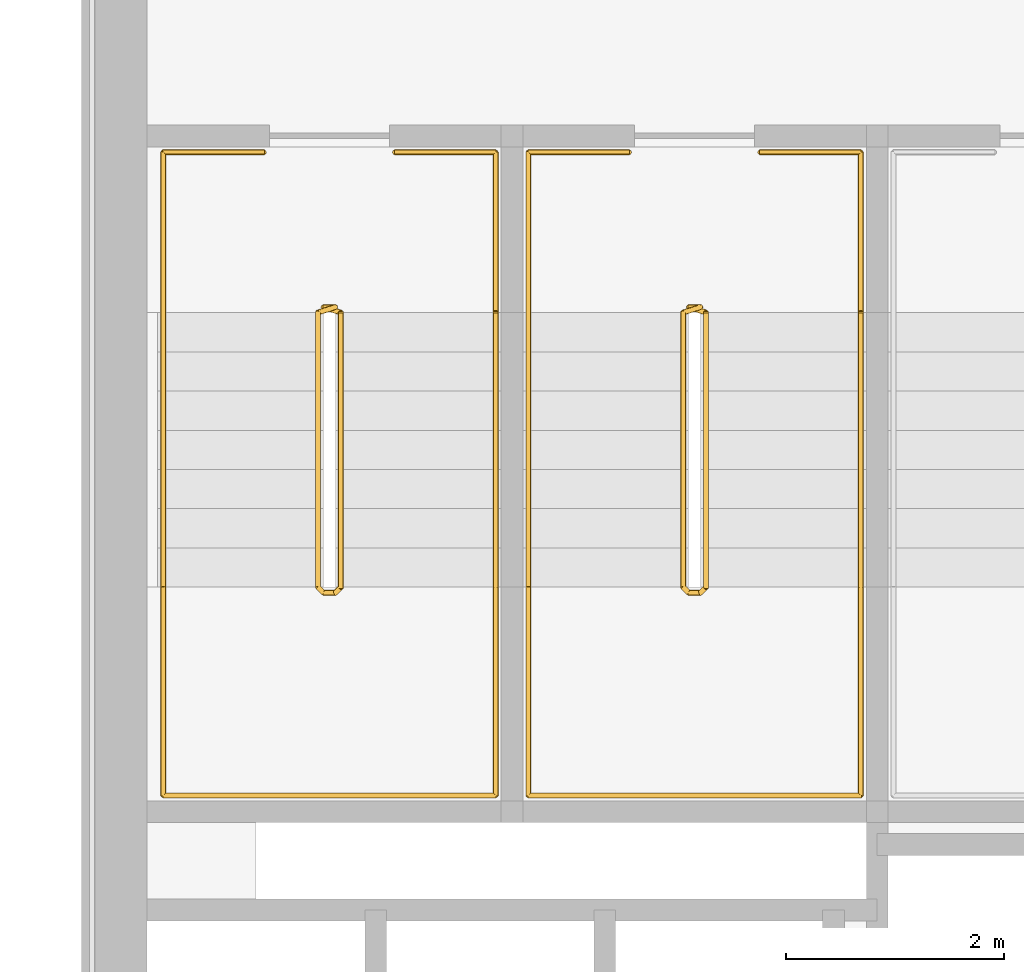
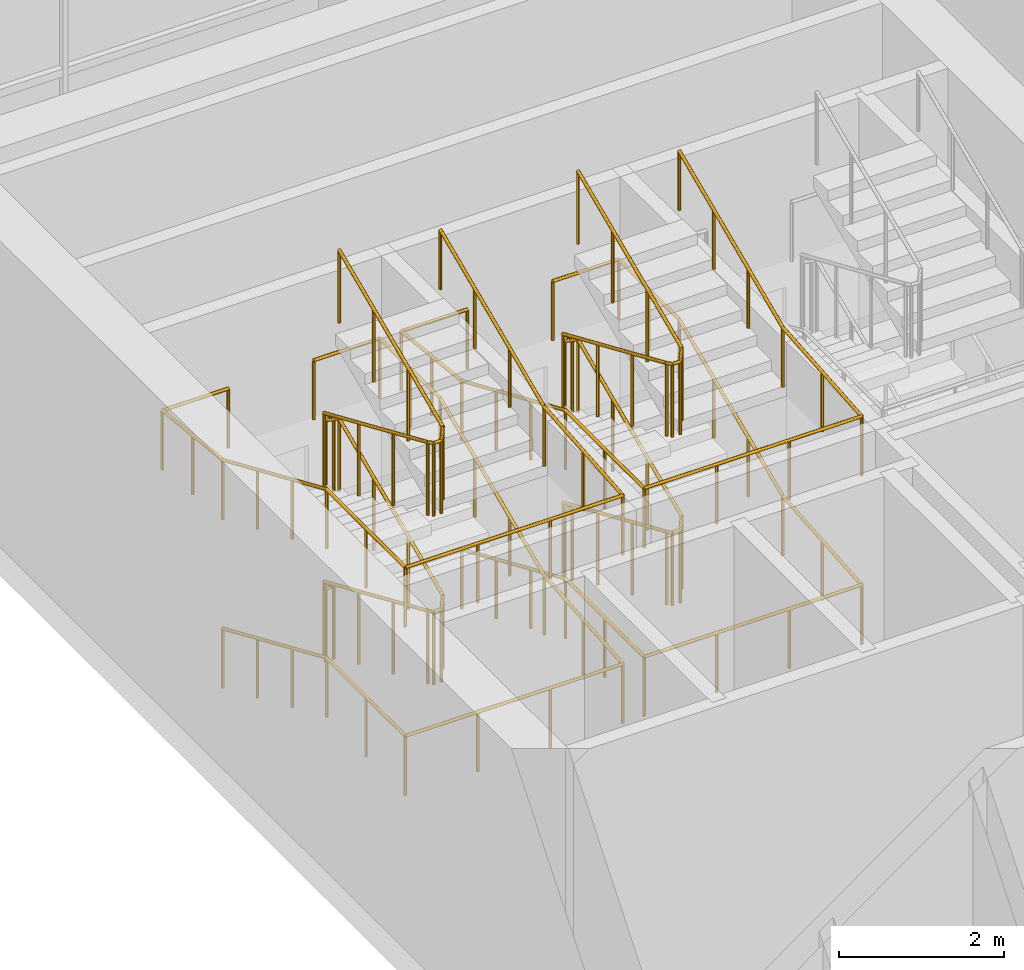
# One storey, part 39 of 40: 6 railings.
"""IFC4 building model written with IfcOpenShell, lengths in metres."""

from ifc_helpers import new_model, si_unit, direction, frame, origin, origin_2d, place, context, subcontext, project, spatial, circle, extrude, material, type_object, element, save


model = new_model("IFC4")

# Units and contexts
model_context = context("Model", 3, precision=1e-05, world=origin(), true_north=direction((0.0, 1.0)))
body_context = subcontext(model_context, "Body", "Model", "MODEL_VIEW")
ifc_project = project(units=[si_unit("LENGTHUNIT", "METRE"), si_unit("AREAUNIT", "SQUARE_METRE"), si_unit("VOLUMEUNIT", "CUBIC_METRE"), si_unit("PLANEANGLEUNIT", "RADIAN"), si_unit("MASSUNIT", "GRAM", prefix="KILO")], contexts=[model_context])

# Site, building, storey
site_placement = place(None, origin())
site = spatial("IfcSite", under=ifc_project, at=site_placement, CompositionType="ELEMENT")
building_placement = place(site_placement, origin())
building = spatial("IfcBuilding", under=site, at=building_placement, Name="Tessera Arch", CompositionType="ELEMENT")
storey_placement = place(building_placement, frame((0.0, 0.0, 21.0)))
storey = spatial("IfcBuildingStorey", under=building, at=storey_placement, Name="L03", CompositionType="ELEMENT", Elevation=21.0)

# Railings
ifc_material_1 = material(Name="Painted steel balustrade", Category="steel")
railing_type_1 = type_object("IfcRailingType", Name="Stair guard 1100", PredefinedType="GUARDRAIL", material=ifc_material_1)
railing_1_placement = place(storey_placement, frame((38.219970703125, 43.6298828125, 0.0)))
element("IfcRailing", 1, at=railing_1_placement, inside=storey, type_object=railing_type_1, Name="L03 S1a stair guard 1", PredefinedType="GUARDRAIL", context=body_context, shape_type="SweptSolid", body=[
    extrude(circle(Radius=0.02392578125, at=origin_2d()), frame((-0.00390625, 0.0, 1.076171875), z_axis=(1.0, 0.0, 0.0), x_axis=(0.0, 1.0, 0.0)), (0.0, 0.0, 1.0), 0.1181640625),
    extrude(circle(Radius=0.02392578125, at=origin_2d()), frame((0.11279296875, 0.0009765625, 1.0732421875), z_axis=(-0.698682510115, -0.217273219609, 0.681641473283), x_axis=(0.296948579431, -0.954893471113, 0.0)), (0.0, 0.0, 1.0), 0.2373046875),
    extrude(circle(Radius=0.02392578125, at=origin_2d()), frame((-0.050048828125, -0.046142578125, 1.230712890625), z_axis=(0.0, -0.917324189904, 0.398141093855), x_axis=(1.0, 0.0, 0.0)), (0.0, 0.0, 1.0), 2.755126953125),
    extrude(circle(Radius=0.02392578125, at=origin_2d()), frame((-0.052978515625, -2.56689453125, 2.326171875), z_axis=(0.707106781187, -0.707106781187, 0.0), x_axis=(0.707106781187, 0.707106781187, 0.0)), (0.0, 0.0, 1.0), 0.078857421875),
    extrude(circle(Radius=0.02392578125, at=origin_2d()), frame((-0.00390625, -2.619873046875, 2.326171875), z_axis=(1.0, 0.0, 0.0), x_axis=(0.0, 1.0, 0.0)), (0.0, 0.0, 1.0), 0.1181640625),
    extrude(circle(Radius=0.02392578125, at=origin_2d()), frame((0.10888671875, -2.62109375, 2.322509765625), z_axis=(0.290469530425, 0.291893400672, 0.911276958196), x_axis=(-0.708833529934, 0.705375805398, 0.0)), (0.0, 0.0, 1.0), 0.179443359375),
    extrude(circle(Radius=0.02392578125, at=origin_2d()), frame((0.159912109375, -2.573486328125, 2.480712890625), z_axis=(0.0, 0.917324189904, 0.398141093855), x_axis=(-1.0, 0.0, 0.0)), (0.0, 0.0, 1.0), 2.755126953125),
    extrude(circle(Radius=0.02392578125, at=origin_2d()), frame((0.163818359375, -0.051025390625, 3.576171875), z_axis=(-0.954764847777, 0.297361876254, 0.0), x_axis=(-0.297361876254, -0.954764847777, 0.0)), (0.0, 0.0, 1.0), 0.175537109375),
    extrude(circle(Radius=0.02392578125, at=origin_2d()), frame((-0.00390625, 0.0, 3.576171875), z_axis=(1.0, 0.0, 0.0), x_axis=(0.0, 1.0, 0.0)), (0.0, 0.0, 1.0), 0.1181640625),
    extrude(circle(Radius=0.02392578125, at=origin_2d()), frame((0.11279296875, 0.0009765625, 3.5732421875), z_axis=(-0.698682510115, -0.217273219609, 0.681641473283), x_axis=(0.296948579431, -0.954893471113, 0.0)), (0.0, 0.0, 1.0), 0.2373046875),
    extrude(circle(Radius=0.02392578125, at=origin_2d()), frame((-0.050048828125, -0.046142578125, 3.730712890625), z_axis=(0.0, -0.917324189904, 0.398141093855), x_axis=(1.0, 0.0, 0.0)), (0.0, 0.0, 1.0), 2.755126953125),
    extrude(circle(Radius=0.02392578125, at=origin_2d()), frame((-0.052978515625, -2.56689453125, 4.826171875), z_axis=(0.707106781187, -0.707106781187, 0.0), x_axis=(0.707106781187, 0.707106781187, 0.0)), (0.0, 0.0, 1.0), 0.078857421875),
    extrude(circle(Radius=0.02392578125, at=origin_2d()), frame((-0.00390625, -2.619873046875, 4.826171875), z_axis=(1.0, 0.0, 0.0), x_axis=(0.0, 1.0, 0.0)), (0.0, 0.0, 1.0), 0.1181640625),
    extrude(circle(Radius=0.02392578125, at=origin_2d()), frame((0.10888671875, -2.62109375, 4.822509765625), z_axis=(0.290469530425, 0.291893400672, 0.911276958196), x_axis=(-0.708833529934, 0.705375805398, 0.0)), (0.0, 0.0, 1.0), 0.179443359375),
    extrude(circle(Radius=0.02392578125, at=origin_2d()), frame((0.159912109375, -2.573486328125, 4.980712890625), z_axis=(0.0, 0.917324189904, 0.398141093855), x_axis=(-1.0, 0.0, 0.0)), (0.0, 0.0, 1.0), 2.755126953125),
    extrude(circle(Radius=0.02099609375, at=origin_2d()), origin(), (0.0, 0.0, 1.0), 1.06396484375),
    extrude(circle(Radius=0.02099609375, at=origin_2d()), frame((0.110107421875, 0.0, 0.0)), (0.0, 0.0, 1.0), 1.06396484375),
    extrude(circle(Radius=0.02099609375, at=origin_2d()), frame((-0.050048828125, -0.0498046875, 0.15625)), (0.0, 0.0, 1.0), 1.06396484375),
    extrude(circle(Radius=0.02099609375, at=origin_2d()), frame((-0.050048828125, -0.889892578125, 0.520751953125)), (0.0, 0.0, 1.0), 1.06396484375),
    extrude(circle(Radius=0.02099609375, at=origin_2d()), frame((-0.050048828125, -1.729736328125, 0.885498046875)), (0.0, 0.0, 1.0), 1.06396484375),
    extrude(circle(Radius=0.02099609375, at=origin_2d()), frame((-0.050048828125, -2.56982421875, 1.25)), (0.0, 0.0, 1.0), 1.06396484375),
    extrude(circle(Radius=0.02099609375, at=origin_2d()), frame((0.0, -2.619873046875, 1.25)), (0.0, 0.0, 1.0), 1.06396484375),
    extrude(circle(Radius=0.02099609375, at=origin_2d()), frame((0.110107421875, -2.619873046875, 1.25)), (0.0, 0.0, 1.0), 1.06396484375),
    extrude(circle(Radius=0.02099609375, at=origin_2d()), frame((0.159912109375, -2.56982421875, 1.40625)), (0.0, 0.0, 1.0), 1.06396484375),
    extrude(circle(Radius=0.02099609375, at=origin_2d()), frame((0.159912109375, -1.729736328125, 1.770751953125)), (0.0, 0.0, 1.0), 1.06396484375),
    extrude(circle(Radius=0.02099609375, at=origin_2d()), frame((0.159912109375, -0.889892578125, 2.135498046875)), (0.0, 0.0, 1.0), 1.06396484375),
    extrude(circle(Radius=0.02099609375, at=origin_2d()), frame((0.159912109375, -0.0498046875, 2.5)), (0.0, 0.0, 1.0), 1.06396484375),
    extrude(circle(Radius=0.02099609375, at=origin_2d()), frame((0.0, 0.0, 2.5)), (0.0, 0.0, 1.0), 1.06396484375),
    extrude(circle(Radius=0.02099609375, at=origin_2d()), frame((0.110107421875, 0.0, 2.5)), (0.0, 0.0, 1.0), 1.06396484375),
    extrude(circle(Radius=0.02099609375, at=origin_2d()), frame((-0.050048828125, -0.0498046875, 2.65625)), (0.0, 0.0, 1.0), 1.06396484375),
    extrude(circle(Radius=0.02099609375, at=origin_2d()), frame((-0.050048828125, -0.889892578125, 3.020751953125)), (0.0, 0.0, 1.0), 1.06396484375),
    extrude(circle(Radius=0.02099609375, at=origin_2d()), frame((-0.050048828125, -1.729736328125, 3.385498046875)), (0.0, 0.0, 1.0), 1.06396484375),
    extrude(circle(Radius=0.02099609375, at=origin_2d()), frame((-0.050048828125, -2.56982421875, 3.75)), (0.0, 0.0, 1.0), 1.06396484375),
    extrude(circle(Radius=0.02099609375, at=origin_2d()), frame((0.0, -2.619873046875, 3.75)), (0.0, 0.0, 1.0), 1.06396484375),
    extrude(circle(Radius=0.02099609375, at=origin_2d()), frame((0.110107421875, -2.619873046875, 3.75)), (0.0, 0.0, 1.0), 1.06396484375),
    extrude(circle(Radius=0.02099609375, at=origin_2d()), frame((0.159912109375, -2.56982421875, 3.90625)), (0.0, 0.0, 1.0), 1.06396484375),
    extrude(circle(Radius=0.02099609375, at=origin_2d()), frame((0.159912109375, -1.729736328125, 4.270751953125)), (0.0, 0.0, 1.0), 1.06396484375),
    extrude(circle(Radius=0.02099609375, at=origin_2d()), frame((0.159912109375, -0.889892578125, 4.635498046875)), (0.0, 0.0, 1.0), 1.06396484375),
    extrude(circle(Radius=0.02099609375, at=origin_2d()), frame((0.159912109375, -0.0498046875, 5.0)), (0.0, 0.0, 1.0), 1.06396484375),
])
railing_2_placement = place(storey_placement, frame((41.570068359375, 43.6298828125, 0.0)))
element("IfcRailing", 2, at=railing_2_placement, inside=storey, type_object=railing_type_1, Name="L03 S1b stair guard 1", PredefinedType="GUARDRAIL", context=body_context, shape_type="SweptSolid", body=[
    extrude(circle(Radius=0.02392578125, at=origin_2d()), frame((-0.00390625, 0.0, 1.076171875), z_axis=(1.0, 0.0, 0.0), x_axis=(0.0, 1.0, 0.0)), (0.0, 0.0, 1.0), 0.117919921875),
    extrude(circle(Radius=0.02392578125, at=origin_2d()), frame((0.112548828125, 0.0009765625, 1.0732421875), z_axis=(-0.698136755474, -0.217434958957, 0.682148890844), x_axis=(0.297361876254, -0.954764847777, 0.0)), (0.0, 0.0, 1.0), 0.237060546875),
    extrude(circle(Radius=0.02392578125, at=origin_2d()), frame((-0.050048828125, -0.046142578125, 1.230712890625), z_axis=(0.0, -0.917324189904, 0.398141093855), x_axis=(1.0, 0.0, 0.0)), (0.0, 0.0, 1.0), 2.755126953125),
    extrude(circle(Radius=0.02392578125, at=origin_2d()), frame((-0.052978515625, -2.56689453125, 2.326171875), z_axis=(0.707106781187, -0.707106781187, 0.0), x_axis=(0.707106781187, 0.707106781187, 0.0)), (0.0, 0.0, 1.0), 0.078857421875),
    extrude(circle(Radius=0.02392578125, at=origin_2d()), frame((-0.00390625, -2.619873046875, 2.326171875), z_axis=(1.0, 0.0, 0.0), x_axis=(0.0, 1.0, 0.0)), (0.0, 0.0, 1.0), 0.117919921875),
    extrude(circle(Radius=0.02392578125, at=origin_2d()), frame((0.108642578125, -2.62109375, 2.322509765625), z_axis=(0.29177245553, 0.29177245553, 0.91089937336), x_axis=(-0.707106781187, 0.707106781187, 0.0)), (0.0, 0.0, 1.0), 0.179443359375),
    extrude(circle(Radius=0.02392578125, at=origin_2d()), frame((0.159912109375, -2.573486328125, 2.480712890625), z_axis=(0.0, 0.917324189904, 0.398141093855), x_axis=(-1.0, 0.0, 0.0)), (0.0, 0.0, 1.0), 2.755126953125),
    extrude(circle(Radius=0.02392578125, at=origin_2d()), frame((0.163818359375, -0.051025390625, 3.576171875), z_axis=(-0.954764847777, 0.297361876254, 0.0), x_axis=(-0.297361876254, -0.954764847777, 0.0)), (0.0, 0.0, 1.0), 0.175537109375),
    extrude(circle(Radius=0.02392578125, at=origin_2d()), frame((-0.00390625, 0.0, 3.576171875), z_axis=(1.0, 0.0, 0.0), x_axis=(0.0, 1.0, 0.0)), (0.0, 0.0, 1.0), 0.117919921875),
    extrude(circle(Radius=0.02392578125, at=origin_2d()), frame((0.112548828125, 0.0009765625, 3.5732421875), z_axis=(-0.698136755474, -0.217434958957, 0.682148890844), x_axis=(0.297361876254, -0.954764847777, 0.0)), (0.0, 0.0, 1.0), 0.237060546875),
    extrude(circle(Radius=0.02392578125, at=origin_2d()), frame((-0.050048828125, -0.046142578125, 3.730712890625), z_axis=(0.0, -0.917324189904, 0.398141093855), x_axis=(1.0, 0.0, 0.0)), (0.0, 0.0, 1.0), 2.755126953125),
    extrude(circle(Radius=0.02392578125, at=origin_2d()), frame((-0.052978515625, -2.56689453125, 4.826171875), z_axis=(0.707106781187, -0.707106781187, 0.0), x_axis=(0.707106781187, 0.707106781187, 0.0)), (0.0, 0.0, 1.0), 0.078857421875),
    extrude(circle(Radius=0.02392578125, at=origin_2d()), frame((-0.00390625, -2.619873046875, 4.826171875), z_axis=(1.0, 0.0, 0.0), x_axis=(0.0, 1.0, 0.0)), (0.0, 0.0, 1.0), 0.117919921875),
    extrude(circle(Radius=0.02392578125, at=origin_2d()), frame((0.108642578125, -2.62109375, 4.822509765625), z_axis=(0.29177245553, 0.29177245553, 0.91089937336), x_axis=(-0.707106781187, 0.707106781187, 0.0)), (0.0, 0.0, 1.0), 0.179443359375),
    extrude(circle(Radius=0.02392578125, at=origin_2d()), frame((0.159912109375, -2.573486328125, 4.980712890625), z_axis=(0.0, 0.917324189904, 0.398141093855), x_axis=(-1.0, 0.0, 0.0)), (0.0, 0.0, 1.0), 2.755126953125),
    extrude(circle(Radius=0.02099609375, at=origin_2d()), origin(), (0.0, 0.0, 1.0), 1.06396484375),
    extrude(circle(Radius=0.02099609375, at=origin_2d()), frame((0.10986328125, 0.0, 0.0)), (0.0, 0.0, 1.0), 1.06396484375),
    extrude(circle(Radius=0.02099609375, at=origin_2d()), frame((-0.050048828125, -0.0498046875, 0.15625)), (0.0, 0.0, 1.0), 1.06396484375),
    extrude(circle(Radius=0.02099609375, at=origin_2d()), frame((-0.050048828125, -0.889892578125, 0.520751953125)), (0.0, 0.0, 1.0), 1.06396484375),
    extrude(circle(Radius=0.02099609375, at=origin_2d()), frame((-0.050048828125, -1.729736328125, 0.885498046875)), (0.0, 0.0, 1.0), 1.06396484375),
    extrude(circle(Radius=0.02099609375, at=origin_2d()), frame((-0.050048828125, -2.56982421875, 1.25)), (0.0, 0.0, 1.0), 1.06396484375),
    extrude(circle(Radius=0.02099609375, at=origin_2d()), frame((0.0, -2.619873046875, 1.25)), (0.0, 0.0, 1.0), 1.06396484375),
    extrude(circle(Radius=0.02099609375, at=origin_2d()), frame((0.10986328125, -2.619873046875, 1.25)), (0.0, 0.0, 1.0), 1.06396484375),
    extrude(circle(Radius=0.02099609375, at=origin_2d()), frame((0.159912109375, -2.56982421875, 1.40625)), (0.0, 0.0, 1.0), 1.06396484375),
    extrude(circle(Radius=0.02099609375, at=origin_2d()), frame((0.159912109375, -1.729736328125, 1.770751953125)), (0.0, 0.0, 1.0), 1.06396484375),
    extrude(circle(Radius=0.02099609375, at=origin_2d()), frame((0.159912109375, -0.889892578125, 2.135498046875)), (0.0, 0.0, 1.0), 1.06396484375),
    extrude(circle(Radius=0.02099609375, at=origin_2d()), frame((0.159912109375, -0.0498046875, 2.5)), (0.0, 0.0, 1.0), 1.06396484375),
    extrude(circle(Radius=0.02099609375, at=origin_2d()), frame((0.0, 0.0, 2.5)), (0.0, 0.0, 1.0), 1.06396484375),
    extrude(circle(Radius=0.02099609375, at=origin_2d()), frame((0.10986328125, 0.0, 2.5)), (0.0, 0.0, 1.0), 1.06396484375),
    extrude(circle(Radius=0.02099609375, at=origin_2d()), frame((-0.050048828125, -0.0498046875, 2.65625)), (0.0, 0.0, 1.0), 1.06396484375),
    extrude(circle(Radius=0.02099609375, at=origin_2d()), frame((-0.050048828125, -0.889892578125, 3.020751953125)), (0.0, 0.0, 1.0), 1.06396484375),
    extrude(circle(Radius=0.02099609375, at=origin_2d()), frame((-0.050048828125, -1.729736328125, 3.385498046875)), (0.0, 0.0, 1.0), 1.06396484375),
    extrude(circle(Radius=0.02099609375, at=origin_2d()), frame((-0.050048828125, -2.56982421875, 3.75)), (0.0, 0.0, 1.0), 1.06396484375),
    extrude(circle(Radius=0.02099609375, at=origin_2d()), frame((0.0, -2.619873046875, 3.75)), (0.0, 0.0, 1.0), 1.06396484375),
    extrude(circle(Radius=0.02099609375, at=origin_2d()), frame((0.10986328125, -2.619873046875, 3.75)), (0.0, 0.0, 1.0), 1.06396484375),
    extrude(circle(Radius=0.02099609375, at=origin_2d()), frame((0.159912109375, -2.56982421875, 3.90625)), (0.0, 0.0, 1.0), 1.06396484375),
    extrude(circle(Radius=0.02099609375, at=origin_2d()), frame((0.159912109375, -1.729736328125, 4.270751953125)), (0.0, 0.0, 1.0), 1.06396484375),
    extrude(circle(Radius=0.02099609375, at=origin_2d()), frame((0.159912109375, -0.889892578125, 4.635498046875)), (0.0, 0.0, 1.0), 1.06396484375),
    extrude(circle(Radius=0.02099609375, at=origin_2d()), frame((0.159912109375, -0.0498046875, 5.0)), (0.0, 0.0, 1.0), 1.06396484375),
])
ifc_material_2 = material(Name="Painted steel handrail", Category="steel")
railing_type_2 = type_object("IfcRailingType", Name="Stair handrail 900", PredefinedType="HANDRAIL", material=ifc_material_2)
railing_3_placement = place(storey_placement, frame((36.75, 43.580078125, 0.15625)))
element("IfcRailing", 3, at=railing_3_placement, inside=storey, type_object=railing_type_2, Name="L03 S1a stair handrail", PredefinedType="HANDRAIL", context=body_context, shape_type="SweptSolid", body=[
    extrude(circle(Radius=0.02392578125, at=origin_2d()), frame((0.0, 0.003662109375, 0.874267578125), z_axis=(0.0, -0.917324189904, 0.398141093855), x_axis=(1.0, 0.0, 0.0)), (0.0, 0.0, 1.0), 2.755126953125),
    extrude(circle(Radius=0.02392578125, at=origin_2d()), frame((0.0, -2.51611328125, 1.9697265625), z_axis=(0.0, -1.0, 0.0), x_axis=(1.0, 0.0, 0.0)), (0.0, 0.0, 1.0), 1.918212890625),
    extrude(circle(Radius=0.02392578125, at=origin_2d()), frame((-0.00390625, -4.43017578125, 1.9697265625), z_axis=(1.0, 0.0, 0.0), x_axis=(0.0, 1.0, 0.0)), (0.0, 0.0, 1.0), 3.05810546875),
    extrude(circle(Radius=0.02392578125, at=origin_2d()), frame((3.050048828125, -4.43408203125, 1.96923828125), z_axis=(0.0, 0.996671109807, 0.081527289146), x_axis=(-1.0, 0.0, 0.0)), (0.0, 0.0, 1.0), 1.924560546875),
    extrude(circle(Radius=0.02392578125, at=origin_2d()), frame((3.050048828125, -2.523681640625, 2.124267578125), z_axis=(0.0, 0.917324189904, 0.398141093855), x_axis=(-1.0, 0.0, 0.0)), (0.0, 0.0, 1.0), 2.755126953125),
    extrude(circle(Radius=0.02392578125, at=origin_2d()), frame((3.050048828125, -0.00390625, 3.2197265625), z_axis=(0.0, 1.0, 0.0), x_axis=(-1.0, 0.0, 0.0)), (0.0, 0.0, 1.0), 1.47802734375),
    extrude(circle(Radius=0.02392578125, at=origin_2d()), frame((3.053955078125, 1.469970703125, 3.2197265625), z_axis=(-1.0, 0.0, 0.0), x_axis=(0.0, -1.0, 0.0)), (0.0, 0.0, 1.0), 0.93310546875),
    extrude(circle(Radius=0.02099609375, at=origin_2d()), origin(), (0.0, 0.0, 1.0), 0.86376953125),
    extrude(circle(Radius=0.02099609375, at=origin_2d()), frame((0.0, -0.840087890625, 0.364501953125)), (0.0, 0.0, 1.0), 0.86376953125),
    extrude(circle(Radius=0.02099609375, at=origin_2d()), frame((0.0, -1.679931640625, 0.729248046875)), (0.0, 0.0, 1.0), 0.86376953125),
    extrude(circle(Radius=0.02099609375, at=origin_2d()), frame((0.0, -2.52001953125, 1.09375)), (0.0, 0.0, 1.0), 0.86376953125),
    extrude(circle(Radius=0.02099609375, at=origin_2d()), frame((0.0, -3.47509765625, 1.09375)), (0.0, 0.0, 1.0), 0.86376953125),
    extrude(circle(Radius=0.02099609375, at=origin_2d()), frame((0.0, -4.43017578125, 1.09375)), (0.0, 0.0, 1.0), 0.86376953125),
    extrude(circle(Radius=0.02099609375, at=origin_2d()), frame((1.0166015625, -4.43017578125, 1.09375)), (0.0, 0.0, 1.0), 0.86376953125),
    extrude(circle(Radius=0.02099609375, at=origin_2d()), frame((2.033447265625, -4.43017578125, 1.09375)), (0.0, 0.0, 1.0), 0.86376953125),
    extrude(circle(Radius=0.02099609375, at=origin_2d()), frame((3.050048828125, -4.43017578125, 1.09375)), (0.0, 0.0, 1.0), 0.86376953125),
    extrude(circle(Radius=0.02099609375, at=origin_2d()), frame((3.050048828125, -3.47509765625, 1.171875)), (0.0, 0.0, 1.0), 0.86376953125),
    extrude(circle(Radius=0.02099609375, at=origin_2d()), frame((3.050048828125, -2.52001953125, 1.25)), (0.0, 0.0, 1.0), 0.86376953125),
    extrude(circle(Radius=0.02099609375, at=origin_2d()), frame((3.050048828125, -1.679931640625, 1.614501953125)), (0.0, 0.0, 1.0), 0.86376953125),
    extrude(circle(Radius=0.02099609375, at=origin_2d()), frame((3.050048828125, -0.840087890625, 1.979248046875)), (0.0, 0.0, 1.0), 0.86376953125),
    extrude(circle(Radius=0.02099609375, at=origin_2d()), frame((3.050048828125, 0.0, 2.34375)), (0.0, 0.0, 1.0), 0.86376953125),
    extrude(circle(Radius=0.02099609375, at=origin_2d()), frame((3.050048828125, 0.73486328125, 2.34375)), (0.0, 0.0, 1.0), 0.86376953125),
    extrude(circle(Radius=0.02099609375, at=origin_2d()), frame((3.050048828125, 1.469970703125, 2.34375)), (0.0, 0.0, 1.0), 0.86376953125),
    extrude(circle(Radius=0.02099609375, at=origin_2d()), frame((2.125, 1.469970703125, 2.34375)), (0.0, 0.0, 1.0), 0.86376953125),
])
railing_4_placement = place(storey_placement, frame((37.675048828125, 45.050048828125, 2.5)))
element("IfcRailing", 4, at=railing_4_placement, inside=storey, type_object=railing_type_2, Name="L03 S1a stair handrail 2", PredefinedType="HANDRAIL", context=body_context, shape_type="SweptSolid", body=[
    extrude(circle(Radius=0.02392578125, at=origin_2d()), frame((0.00390625, 0.0, 0.8759765625), z_axis=(-1.0, 0.0, 0.0), x_axis=(0.0, -1.0, 0.0)), (0.0, 0.0, 1.0), 0.93310546875),
    extrude(circle(Radius=0.02392578125, at=origin_2d()), frame((-0.925048828125, 0.00390625, 0.87548828125), z_axis=(0.0, -0.994398150376, 0.105699188879), x_axis=(1.0, 0.0, 0.0)), (0.0, 0.0, 1.0), 1.486328125),
    extrude(circle(Radius=0.02392578125, at=origin_2d()), frame((-0.925048828125, -1.46630859375, 1.030517578125), z_axis=(0.0, -0.917324189904, 0.398141093855), x_axis=(1.0, 0.0, 0.0)), (0.0, 0.0, 1.0), 2.755126953125),
    extrude(circle(Radius=0.02392578125, at=origin_2d()), frame((-0.925048828125, -3.986083984375, 2.1259765625), z_axis=(0.0, -1.0, 0.0), x_axis=(1.0, 0.0, 0.0)), (0.0, 0.0, 1.0), 1.918212890625),
    extrude(circle(Radius=0.02392578125, at=origin_2d()), frame((-0.928955078125, -5.900146484375, 2.1259765625), z_axis=(1.0, 0.0, 0.0), x_axis=(0.0, 1.0, 0.0)), (0.0, 0.0, 1.0), 3.05810546875),
    extrude(circle(Radius=0.02392578125, at=origin_2d()), frame((2.125, -5.904052734375, 2.12548828125), z_axis=(0.0, 0.996671109807, 0.081527289146), x_axis=(-1.0, 0.0, 0.0)), (0.0, 0.0, 1.0), 1.924560546875),
    extrude(circle(Radius=0.02392578125, at=origin_2d()), frame((2.125, -3.99365234375, 2.280517578125), z_axis=(0.0, 0.917324189904, 0.398141093855), x_axis=(-1.0, 0.0, 0.0)), (0.0, 0.0, 1.0), 2.755126953125),
    extrude(circle(Radius=0.02099609375, at=origin_2d()), origin(), (0.0, 0.0, 1.0), 0.86376953125),
    extrude(circle(Radius=0.02099609375, at=origin_2d()), frame((-0.925048828125, 0.0, 0.0)), (0.0, 0.0, 1.0), 0.86376953125),
    extrude(circle(Radius=0.02099609375, at=origin_2d()), frame((-0.925048828125, -0.73486328125, 0.078125)), (0.0, 0.0, 1.0), 0.86376953125),
    extrude(circle(Radius=0.02099609375, at=origin_2d()), frame((-0.925048828125, -1.469970703125, 0.15625)), (0.0, 0.0, 1.0), 0.86376953125),
    extrude(circle(Radius=0.02099609375, at=origin_2d()), frame((-0.925048828125, -2.31005859375, 0.520751953125)), (0.0, 0.0, 1.0), 0.86376953125),
    extrude(circle(Radius=0.02099609375, at=origin_2d()), frame((-0.925048828125, -3.14990234375, 0.885498046875)), (0.0, 0.0, 1.0), 0.86376953125),
    extrude(circle(Radius=0.02099609375, at=origin_2d()), frame((-0.925048828125, -3.989990234375, 1.25)), (0.0, 0.0, 1.0), 0.86376953125),
    extrude(circle(Radius=0.02099609375, at=origin_2d()), frame((-0.925048828125, -4.945068359375, 1.25)), (0.0, 0.0, 1.0), 0.86376953125),
    extrude(circle(Radius=0.02099609375, at=origin_2d()), frame((-0.925048828125, -5.900146484375, 1.25)), (0.0, 0.0, 1.0), 0.86376953125),
    extrude(circle(Radius=0.02099609375, at=origin_2d()), frame((0.091552734375, -5.900146484375, 1.25)), (0.0, 0.0, 1.0), 0.86376953125),
    extrude(circle(Radius=0.02099609375, at=origin_2d()), frame((1.1083984375, -5.900146484375, 1.25)), (0.0, 0.0, 1.0), 0.86376953125),
    extrude(circle(Radius=0.02099609375, at=origin_2d()), frame((2.125, -5.900146484375, 1.25)), (0.0, 0.0, 1.0), 0.86376953125),
    extrude(circle(Radius=0.02099609375, at=origin_2d()), frame((2.125, -4.945068359375, 1.328125)), (0.0, 0.0, 1.0), 0.86376953125),
    extrude(circle(Radius=0.02099609375, at=origin_2d()), frame((2.125, -3.989990234375, 1.40625)), (0.0, 0.0, 1.0), 0.86376953125),
    extrude(circle(Radius=0.02099609375, at=origin_2d()), frame((2.125, -3.14990234375, 1.770751953125)), (0.0, 0.0, 1.0), 0.86376953125),
    extrude(circle(Radius=0.02099609375, at=origin_2d()), frame((2.125, -2.31005859375, 2.135498046875)), (0.0, 0.0, 1.0), 0.86376953125),
    extrude(circle(Radius=0.02099609375, at=origin_2d()), frame((2.125, -1.469970703125, 2.5)), (0.0, 0.0, 1.0), 0.86376953125),
])
railing_5_placement = place(storey_placement, frame((40.10009765625, 43.580078125, 0.15625)))
element("IfcRailing", 5, at=railing_5_placement, inside=storey, type_object=railing_type_2, Name="L03 S1b stair handrail", PredefinedType="HANDRAIL", context=body_context, shape_type="SweptSolid", body=[
    extrude(circle(Radius=0.02392578125, at=origin_2d()), frame((0.0, 0.003662109375, 0.874267578125), z_axis=(0.0, -0.917324189904, 0.398141093855), x_axis=(1.0, 0.0, 0.0)), (0.0, 0.0, 1.0), 2.755126953125),
    extrude(circle(Radius=0.02392578125, at=origin_2d()), frame((0.0, -2.51611328125, 1.9697265625), z_axis=(0.0, -1.0, 0.0), x_axis=(1.0, 0.0, 0.0)), (0.0, 0.0, 1.0), 1.918212890625),
    extrude(circle(Radius=0.02392578125, at=origin_2d()), frame((-0.00390625, -4.43017578125, 1.9697265625), z_axis=(1.0, 0.0, 0.0), x_axis=(0.0, 1.0, 0.0)), (0.0, 0.0, 1.0), 3.057861328125),
    extrude(circle(Radius=0.02392578125, at=origin_2d()), frame((3.0498046875, -4.43408203125, 1.96923828125), z_axis=(0.0, 0.996671109807, 0.081527289146), x_axis=(-1.0, 0.0, 0.0)), (0.0, 0.0, 1.0), 1.924560546875),
    extrude(circle(Radius=0.02392578125, at=origin_2d()), frame((3.0498046875, -2.523681640625, 2.124267578125), z_axis=(0.0, 0.917324189904, 0.398141093855), x_axis=(-1.0, 0.0, 0.0)), (0.0, 0.0, 1.0), 2.755126953125),
    extrude(circle(Radius=0.02392578125, at=origin_2d()), frame((3.0498046875, -0.00390625, 3.2197265625), z_axis=(0.0, 1.0, 0.0), x_axis=(-1.0, 0.0, 0.0)), (0.0, 0.0, 1.0), 1.47802734375),
    extrude(circle(Radius=0.02392578125, at=origin_2d()), frame((3.0537109375, 1.469970703125, 3.2197265625), z_axis=(-1.0, 0.0, 0.0), x_axis=(0.0, -1.0, 0.0)), (0.0, 0.0, 1.0), 0.932861328125),
    extrude(circle(Radius=0.02099609375, at=origin_2d()), origin(), (0.0, 0.0, 1.0), 0.86376953125),
    extrude(circle(Radius=0.02099609375, at=origin_2d()), frame((0.0, -0.840087890625, 0.364501953125)), (0.0, 0.0, 1.0), 0.86376953125),
    extrude(circle(Radius=0.02099609375, at=origin_2d()), frame((0.0, -1.679931640625, 0.729248046875)), (0.0, 0.0, 1.0), 0.86376953125),
    extrude(circle(Radius=0.02099609375, at=origin_2d()), frame((0.0, -2.52001953125, 1.09375)), (0.0, 0.0, 1.0), 0.86376953125),
    extrude(circle(Radius=0.02099609375, at=origin_2d()), frame((0.0, -3.47509765625, 1.09375)), (0.0, 0.0, 1.0), 0.86376953125),
    extrude(circle(Radius=0.02099609375, at=origin_2d()), frame((0.0, -4.43017578125, 1.09375)), (0.0, 0.0, 1.0), 0.86376953125),
    extrude(circle(Radius=0.02099609375, at=origin_2d()), frame((1.0166015625, -4.43017578125, 1.09375)), (0.0, 0.0, 1.0), 0.86376953125),
    extrude(circle(Radius=0.02099609375, at=origin_2d()), frame((2.033203125, -4.43017578125, 1.09375)), (0.0, 0.0, 1.0), 0.86376953125),
    extrude(circle(Radius=0.02099609375, at=origin_2d()), frame((3.0498046875, -4.43017578125, 1.09375)), (0.0, 0.0, 1.0), 0.86376953125),
    extrude(circle(Radius=0.02099609375, at=origin_2d()), frame((3.0498046875, -3.47509765625, 1.171875)), (0.0, 0.0, 1.0), 0.86376953125),
    extrude(circle(Radius=0.02099609375, at=origin_2d()), frame((3.0498046875, -2.52001953125, 1.25)), (0.0, 0.0, 1.0), 0.86376953125),
    extrude(circle(Radius=0.02099609375, at=origin_2d()), frame((3.0498046875, -1.679931640625, 1.614501953125)), (0.0, 0.0, 1.0), 0.86376953125),
    extrude(circle(Radius=0.02099609375, at=origin_2d()), frame((3.0498046875, -0.840087890625, 1.979248046875)), (0.0, 0.0, 1.0), 0.86376953125),
    extrude(circle(Radius=0.02099609375, at=origin_2d()), frame((3.0498046875, 0.0, 2.34375)), (0.0, 0.0, 1.0), 0.86376953125),
    extrude(circle(Radius=0.02099609375, at=origin_2d()), frame((3.0498046875, 0.73486328125, 2.34375)), (0.0, 0.0, 1.0), 0.86376953125),
    extrude(circle(Radius=0.02099609375, at=origin_2d()), frame((3.0498046875, 1.469970703125, 2.34375)), (0.0, 0.0, 1.0), 0.86376953125),
    extrude(circle(Radius=0.02099609375, at=origin_2d()), frame((2.125, 1.469970703125, 2.34375)), (0.0, 0.0, 1.0), 0.86376953125),
])
railing_6_placement = place(storey_placement, frame((41.02490234375, 45.050048828125, 2.5)))
element("IfcRailing", 6, at=railing_6_placement, inside=storey, type_object=railing_type_2, Name="L03 S1b stair handrail 2", PredefinedType="HANDRAIL", context=body_context, shape_type="SweptSolid", body=[
    extrude(circle(Radius=0.02392578125, at=origin_2d()), frame((0.00390625, 0.0, 0.8759765625), z_axis=(-1.0, 0.0, 0.0), x_axis=(0.0, -1.0, 0.0)), (0.0, 0.0, 1.0), 0.932861328125),
    extrude(circle(Radius=0.02392578125, at=origin_2d()), frame((-0.9248046875, 0.00390625, 0.87548828125), z_axis=(0.0, -0.994398150376, 0.105699188879), x_axis=(1.0, 0.0, 0.0)), (0.0, 0.0, 1.0), 1.486328125),
    extrude(circle(Radius=0.02392578125, at=origin_2d()), frame((-0.9248046875, -1.46630859375, 1.030517578125), z_axis=(0.0, -0.917324189904, 0.398141093855), x_axis=(1.0, 0.0, 0.0)), (0.0, 0.0, 1.0), 2.755126953125),
    extrude(circle(Radius=0.02392578125, at=origin_2d()), frame((-0.9248046875, -3.986083984375, 2.1259765625), z_axis=(0.0, -1.0, 0.0), x_axis=(1.0, 0.0, 0.0)), (0.0, 0.0, 1.0), 1.918212890625),
    extrude(circle(Radius=0.02392578125, at=origin_2d()), frame((-0.9287109375, -5.900146484375, 2.1259765625), z_axis=(1.0, 0.0, 0.0), x_axis=(0.0, 1.0, 0.0)), (0.0, 0.0, 1.0), 3.057861328125),
    extrude(circle(Radius=0.02392578125, at=origin_2d()), frame((2.125, -5.904052734375, 2.12548828125), z_axis=(0.0, 0.996671109807, 0.081527289146), x_axis=(-1.0, 0.0, 0.0)), (0.0, 0.0, 1.0), 1.924560546875),
    extrude(circle(Radius=0.02392578125, at=origin_2d()), frame((2.125, -3.99365234375, 2.280517578125), z_axis=(0.0, 0.917324189904, 0.398141093855), x_axis=(-1.0, 0.0, 0.0)), (0.0, 0.0, 1.0), 2.755126953125),
    extrude(circle(Radius=0.02099609375, at=origin_2d()), origin(), (0.0, 0.0, 1.0), 0.86376953125),
    extrude(circle(Radius=0.02099609375, at=origin_2d()), frame((-0.9248046875, 0.0, 0.0)), (0.0, 0.0, 1.0), 0.86376953125),
    extrude(circle(Radius=0.02099609375, at=origin_2d()), frame((-0.9248046875, -0.73486328125, 0.078125)), (0.0, 0.0, 1.0), 0.86376953125),
    extrude(circle(Radius=0.02099609375, at=origin_2d()), frame((-0.9248046875, -1.469970703125, 0.15625)), (0.0, 0.0, 1.0), 0.86376953125),
    extrude(circle(Radius=0.02099609375, at=origin_2d()), frame((-0.9248046875, -2.31005859375, 0.520751953125)), (0.0, 0.0, 1.0), 0.86376953125),
    extrude(circle(Radius=0.02099609375, at=origin_2d()), frame((-0.9248046875, -3.14990234375, 0.885498046875)), (0.0, 0.0, 1.0), 0.86376953125),
    extrude(circle(Radius=0.02099609375, at=origin_2d()), frame((-0.9248046875, -3.989990234375, 1.25)), (0.0, 0.0, 1.0), 0.86376953125),
    extrude(circle(Radius=0.02099609375, at=origin_2d()), frame((-0.9248046875, -4.945068359375, 1.25)), (0.0, 0.0, 1.0), 0.86376953125),
    extrude(circle(Radius=0.02099609375, at=origin_2d()), frame((-0.9248046875, -5.900146484375, 1.25)), (0.0, 0.0, 1.0), 0.86376953125),
    extrude(circle(Radius=0.02099609375, at=origin_2d()), frame((0.091796875, -5.900146484375, 1.25)), (0.0, 0.0, 1.0), 0.86376953125),
    extrude(circle(Radius=0.02099609375, at=origin_2d()), frame((1.1083984375, -5.900146484375, 1.25)), (0.0, 0.0, 1.0), 0.86376953125),
    extrude(circle(Radius=0.02099609375, at=origin_2d()), frame((2.125, -5.900146484375, 1.25)), (0.0, 0.0, 1.0), 0.86376953125),
    extrude(circle(Radius=0.02099609375, at=origin_2d()), frame((2.125, -4.945068359375, 1.328125)), (0.0, 0.0, 1.0), 0.86376953125),
    extrude(circle(Radius=0.02099609375, at=origin_2d()), frame((2.125, -3.989990234375, 1.40625)), (0.0, 0.0, 1.0), 0.86376953125),
    extrude(circle(Radius=0.02099609375, at=origin_2d()), frame((2.125, -3.14990234375, 1.770751953125)), (0.0, 0.0, 1.0), 0.86376953125),
    extrude(circle(Radius=0.02099609375, at=origin_2d()), frame((2.125, -2.31005859375, 2.135498046875)), (0.0, 0.0, 1.0), 0.86376953125),
    extrude(circle(Radius=0.02099609375, at=origin_2d()), frame((2.125, -1.469970703125, 2.5)), (0.0, 0.0, 1.0), 0.86376953125),
])

save(model, "model.ifc")
